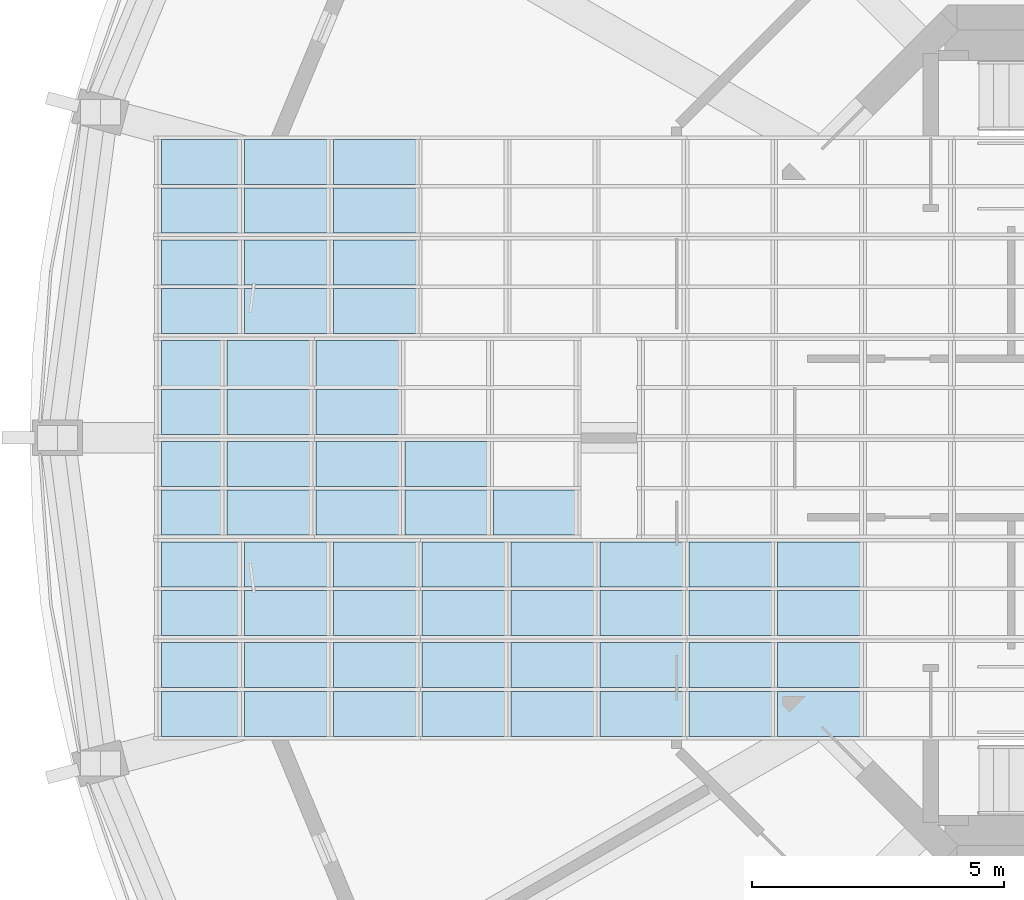
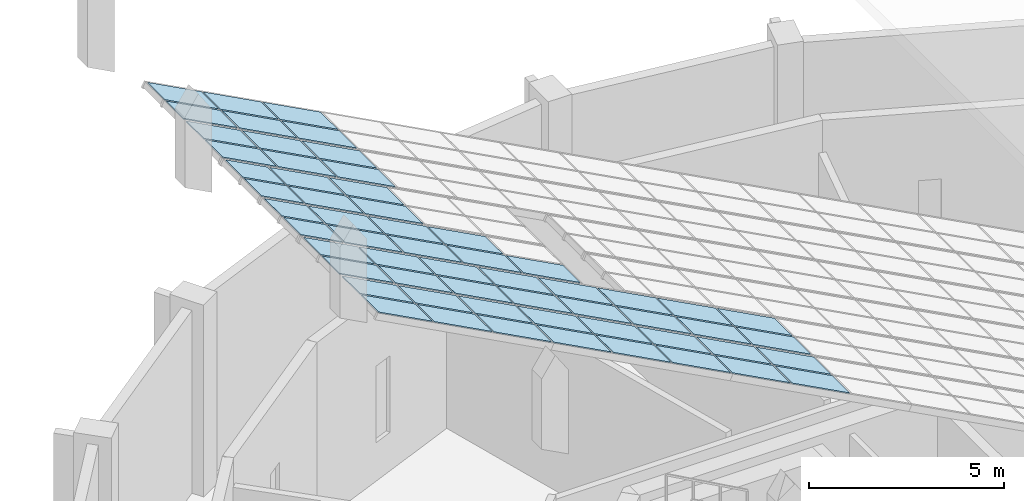
# One storey, part 8 of 19: 59 plates, 6 elements without a shape of their own.
"""IFC4 building model written with IfcOpenShell, lengths in metres."""

from ifc_helpers import new_model, si_unit, direction, frame, origin, place, context, subcontext, project, spatial, polyline, outline, extrude, material, layer, layer_set, type_object, element, aggregate, save


model = new_model("IFC4")

# Units and contexts
model_context = context("Model", 3, precision=1e-05, world=origin(), true_north=direction((0.0, 1.0)))
body_context = subcontext(model_context, "Body", "Model", "MODEL_VIEW")
ifc_project = project(units=[si_unit("LENGTHUNIT", "METRE"), si_unit("AREAUNIT", "SQUARE_METRE"), si_unit("VOLUMEUNIT", "CUBIC_METRE"), si_unit("PLANEANGLEUNIT", "RADIAN"), si_unit("MASSUNIT", "GRAM", prefix="KILO")], contexts=[model_context])

# Site, building, storey
site_placement = place(None, origin())
site = spatial("IfcSite", under=ifc_project, at=site_placement, CompositionType="ELEMENT")
building_placement = place(site_placement, origin())
building = spatial("IfcBuilding", under=site, at=building_placement, Name="Torre Triforio", CompositionType="ELEMENT")
storey_placement = place(building_placement, frame((0.0, 0.0, 290.800048828125)))
storey = spatial("IfcBuildingStorey", under=building, at=storey_placement, Name="RF-1", CompositionType="ELEMENT", Elevation=290.800048828125)

# Curtain wall, plates
ifc_material_1 = material(Name="Aluminium glazing bars with clear laminated glass", Category="aluminium")
curtain_wall_type = type_object("IfcCurtainWallType", Name="Crown lantern glazing CW4", PredefinedType="NOTDEFINED", material=ifc_material_1)
curtain_wall_1_placement = place(storey_placement, origin())
curtain_wall_1 = element("IfcCurtainWall", 1, at=curtain_wall_1_placement, inside=storey, type_object=curtain_wall_type, Name="Crown lantern run 1", PredefinedType="NOTDEFINED")
ifc_material_2 = material(Name="Clear laminated glass", Category="glass")
ifc_layer = layer(ifc_material_2, 0.030029296875)
ifc_layer_set = layer_set([ifc_layer], Name="Clear laminated glass")
plate_type = type_object("IfcPlateType", Name="CW4 glass panel 30", PredefinedType="CURTAIN_PANEL", material=ifc_layer_set)
plate_1_placement = place(storey_placement, frame((-8.987548828125, -5.929931640625, 18.36376953125), z_axis=(0.469537451121, 0.0, 0.882912556256), x_axis=(0.0, 1.0, 0.0)))
plate_1 = element("IfcPlate", 2, at=plate_1_placement, type_object=plate_type, Name="CW4 panel 1.14.1", PredefinedType="CURTAIN_PANEL", context=body_context, shape_type="SweptSolid", body=[
    extrude(outline(polyline([(0.0, 0.0), (0.89501953125, 0.0), (0.89501953125, 1.9300909817454048), (0.0, 1.9300909817454048), (0.0, 0.0)])), origin(), (0.0, 0.0, -1.0), 0.030029296875),
])
plate_2_placement = place(storey_placement, frame((-8.987548828125, -4.965087890625, 18.36376953125), z_axis=(0.469537451121, 0.0, 0.882912556256), x_axis=(0.0, 1.0, 0.0)))
plate_2 = element("IfcPlate", 3, at=plate_2_placement, type_object=plate_type, Name="CW4 panel 1.14.2", PredefinedType="CURTAIN_PANEL", context=body_context, shape_type="SweptSolid", body=[
    extrude(outline(polyline([(0.0, 0.0), (0.89501953125, 0.0), (0.89501953125, 1.9300909817454048), (0.0, 1.9300909817454048), (0.0, 0.0)])), origin(), (0.0, 0.0, -1.0), 0.030029296875),
])
plate_3_placement = place(storey_placement, frame((-10.75341796875, -5.929931640625, 19.302734375), z_axis=(0.469537451121, 0.0, 0.882912556256), x_axis=(0.0, 1.0, 0.0)))
plate_3 = element("IfcPlate", 4, at=plate_3_placement, type_object=plate_type, Name="CW4 panel 1.15.1", PredefinedType="CURTAIN_PANEL", context=body_context, shape_type="SweptSolid", body=[
    extrude(outline(polyline([(0.0, 0.0), (0.89501953125, 0.0), (0.89501953125, 1.9300909817454048), (0.0, 1.9300909817454048), (0.0, 0.0)])), origin(), (0.0, 0.0, -1.0), 0.030029296875),
])
plate_4_placement = place(storey_placement, frame((-10.75341796875, -4.965087890625, 19.302734375), z_axis=(0.469537451121, 0.0, 0.882912556256), x_axis=(0.0, 1.0, 0.0)))
plate_4 = element("IfcPlate", 5, at=plate_4_placement, type_object=plate_type, Name="CW4 panel 1.15.2", PredefinedType="CURTAIN_PANEL", context=body_context, shape_type="SweptSolid", body=[
    extrude(outline(polyline([(0.0, 0.0), (0.89501953125, 0.0), (0.89501953125, 1.9300909817454048), (0.0, 1.9300909817454048), (0.0, 0.0)])), origin(), (0.0, 0.0, -1.0), 0.030029296875),
])
plate_5_placement = place(storey_placement, frame((-12.519287109375, -5.929931640625, 20.24169921875), z_axis=(0.469537451121, 0.0, 0.882912556256), x_axis=(0.0, 1.0, 0.0)))
plate_5 = element("IfcPlate", 6, at=plate_5_placement, type_object=plate_type, Name="CW4 panel 1.16.1", PredefinedType="CURTAIN_PANEL", context=body_context, shape_type="SweptSolid", body=[
    extrude(outline(polyline([(0.0, 0.0), (0.89501953125, 0.0), (0.89501953125, 1.9300909817454048), (0.0, 1.9300909817454048), (0.0, 0.0)])), origin(), (0.0, 0.0, -1.0), 0.030029296875),
])
plate_6_placement = place(storey_placement, frame((-12.519287109375, -4.965087890625, 20.24169921875), z_axis=(0.469537451121, 0.0, 0.882912556256), x_axis=(0.0, 1.0, 0.0)))
plate_6 = element("IfcPlate", 7, at=plate_6_placement, type_object=plate_type, Name="CW4 panel 1.16.2", PredefinedType="CURTAIN_PANEL", context=body_context, shape_type="SweptSolid", body=[
    extrude(outline(polyline([(0.0, 0.0), (0.89501953125, 0.0), (0.89501953125, 1.9300909817454048), (0.0, 1.9300909817454048), (0.0, 0.0)])), origin(), (0.0, 0.0, -1.0), 0.030029296875),
])
plate_7_placement = place(storey_placement, frame((-14.28515625, -5.929931640625, 21.1806640625), z_axis=(0.469438837627, 0.0, 0.882964992357), x_axis=(0.0, 1.0, 0.0)))
plate_7 = element("IfcPlate", 8, at=plate_7_placement, type_object=plate_type, Name="CW4 panel 1.17.1", PredefinedType="CURTAIN_PANEL", context=body_context, shape_type="SweptSolid", body=[
    extrude(outline(polyline([(0.0, 0.0), (0.89501953125, 0.0), (0.89501953125, 1.9299763606160503), (0.0, 1.9299763606160503), (0.0, 0.0)])), origin(), (0.0, 0.0, -1.0), 0.030029296875),
])
plate_8_placement = place(storey_placement, frame((-14.28515625, -4.965087890625, 21.1806640625), z_axis=(0.469438837627, 0.0, 0.882964992357), x_axis=(0.0, 1.0, 0.0)))
plate_8 = element("IfcPlate", 9, at=plate_8_placement, type_object=plate_type, Name="CW4 panel 1.17.2", PredefinedType="CURTAIN_PANEL", context=body_context, shape_type="SweptSolid", body=[
    extrude(outline(polyline([(0.0, 0.0), (0.89501953125, 0.0), (0.89501953125, 1.9299763606160503), (0.0, 1.9299763606160503), (0.0, 0.0)])), origin(), (0.0, 0.0, -1.0), 0.030029296875),
])
plate_9_placement = place(storey_placement, frame((-16.051025390625, -5.929931640625, 22.11962890625), z_axis=(0.469438837627, 0.0, 0.882964992357), x_axis=(0.0, 1.0, 0.0)))
plate_9 = element("IfcPlate", 10, at=plate_9_placement, type_object=plate_type, Name="CW4 panel 1.18.1", PredefinedType="CURTAIN_PANEL", context=body_context, shape_type="SweptSolid", body=[
    extrude(outline(polyline([(0.0, 0.0), (0.89501953125, 0.0), (0.89501953125, 1.9299763606160503), (0.0, 1.9299763606160503), (0.0, 0.0)])), origin(), (0.0, 0.0, -1.0), 0.030029296875),
])
plate_10_placement = place(storey_placement, frame((-16.051025390625, -4.965087890625, 22.11962890625), z_axis=(0.469438837627, 0.0, 0.882964992357), x_axis=(0.0, 1.0, 0.0)))
plate_10 = element("IfcPlate", 11, at=plate_10_placement, type_object=plate_type, Name="CW4 panel 1.18.2", PredefinedType="CURTAIN_PANEL", context=body_context, shape_type="SweptSolid", body=[
    extrude(outline(polyline([(0.0, 0.0), (0.89501953125, 0.0), (0.89501953125, 1.9299763606160503), (0.0, 1.9299763606160503), (0.0, 0.0)])), origin(), (0.0, 0.0, -1.0), 0.030029296875),
])
plate_11_placement = place(storey_placement, frame((-17.81689453125, -5.929931640625, 23.05859375), z_axis=(0.469438837627, 0.0, 0.882964992357), x_axis=(0.0, 1.0, 0.0)))
plate_11 = element("IfcPlate", 12, at=plate_11_placement, type_object=plate_type, Name="CW4 panel 1.19.1", PredefinedType="CURTAIN_PANEL", context=body_context, shape_type="SweptSolid", body=[
    extrude(outline(polyline([(0.0, 0.0), (0.89501953125, 0.0), (0.89501953125, 1.9299763606160503), (0.0, 1.9299763606160503), (0.0, 0.0)])), origin(), (0.0, 0.0, -1.0), 0.030029296875),
])
plate_12_placement = place(storey_placement, frame((-17.81689453125, -4.965087890625, 23.05859375), z_axis=(0.469438837627, 0.0, 0.882964992357), x_axis=(0.0, 1.0, 0.0)))
plate_12 = element("IfcPlate", 13, at=plate_12_placement, type_object=plate_type, Name="CW4 panel 1.19.2", PredefinedType="CURTAIN_PANEL", context=body_context, shape_type="SweptSolid", body=[
    extrude(outline(polyline([(0.0, 0.0), (0.89501953125, 0.0), (0.89501953125, 1.9299763606160503), (0.0, 1.9299763606160503), (0.0, 0.0)])), origin(), (0.0, 0.0, -1.0), 0.030029296875),
])
plate_13_placement = place(storey_placement, frame((-19.5830078125, -5.929931640625, 23.99755859375), z_axis=(0.469438837627, 0.0, 0.882964992357), x_axis=(0.0, 1.0, 0.0)))
plate_13 = element("IfcPlate", 14, at=plate_13_placement, type_object=plate_type, Name="CW4 panel 1.20.1", PredefinedType="CURTAIN_PANEL", context=body_context, shape_type="SweptSolid", body=[
    extrude(outline(polyline([(0.0, 0.0), (0.89501953125, 0.0), (0.89501953125, 1.9299763606160503), (0.0, 1.9299763606160503), (0.0, 0.0)])), origin(), (0.0, 0.0, -1.0), 0.030029296875),
])
plate_14_placement = place(storey_placement, frame((-19.5830078125, -4.965087890625, 23.99755859375), z_axis=(0.469438837627, 0.0, 0.882964992357), x_axis=(0.0, 1.0, 0.0)))
plate_14 = element("IfcPlate", 15, at=plate_14_placement, type_object=plate_type, Name="CW4 panel 1.20.2", PredefinedType="CURTAIN_PANEL", context=body_context, shape_type="SweptSolid", body=[
    extrude(outline(polyline([(0.0, 0.0), (0.89501953125, 0.0), (0.89501953125, 1.9299763606160503), (0.0, 1.9299763606160503), (0.0, 0.0)])), origin(), (0.0, 0.0, -1.0), 0.030029296875),
])
plate_15_placement = place(storey_placement, frame((-21.348876953125, -5.929931640625, 24.9365234375), z_axis=(0.469426263522, 0.0, 0.882971677414), x_axis=(0.0, 1.0, 0.0)))
plate_15 = element("IfcPlate", 16, at=plate_15_placement, type_object=plate_type, Name="CW4 panel 1.21.1", PredefinedType="CURTAIN_PANEL", context=body_context, shape_type="SweptSolid", body=[
    extrude(outline(polyline([(0.0, 0.0), (0.89501953125, 0.0), (0.89501953125, 1.8000073042032605), (0.0, 1.8000073042032605), (0.0, 0.0)])), origin(), (0.0, 0.0, -1.0), 0.030029296875),
])
plate_16_placement = place(storey_placement, frame((-21.348876953125, -4.965087890625, 24.9365234375), z_axis=(0.469426263522, 0.0, 0.882971677414), x_axis=(0.0, 1.0, 0.0)))
plate_16 = element("IfcPlate", 17, at=plate_16_placement, type_object=plate_type, Name="CW4 panel 1.21.2", PredefinedType="CURTAIN_PANEL", context=body_context, shape_type="SweptSolid", body=[
    extrude(outline(polyline([(0.0, 0.0), (0.89501953125, 0.0), (0.89501953125, 1.8000073042032605), (0.0, 1.8000073042032605), (0.0, 0.0)])), origin(), (0.0, 0.0, -1.0), 0.030029296875),
])
aggregate(curtain_wall_1, [plate_1, plate_2, plate_3, plate_4, plate_5, plate_6, plate_7, plate_8, plate_9, plate_10, plate_11, plate_12, plate_13, plate_14, plate_15, plate_16])

curtain_wall_2_placement = place(storey_placement, origin())
curtain_wall_2 = element("IfcCurtainWall", 18, at=curtain_wall_2_placement, inside=storey, type_object=curtain_wall_type, Name="Crown lantern run 2", PredefinedType="NOTDEFINED")
plate_17_placement = place(storey_placement, frame((-8.987548828125, -3.929931640625, 18.36376953125), z_axis=(0.469537451121, 0.0, 0.882912556256), x_axis=(0.0, 1.0, 0.0)))
plate_17 = element("IfcPlate", 19, at=plate_17_placement, type_object=plate_type, Name="CW4 panel 2.14.1", PredefinedType="CURTAIN_PANEL", context=body_context, shape_type="SweptSolid", body=[
    extrude(outline(polyline([(0.0, 0.0), (0.89501953125, 0.0), (0.89501953125, 1.9300909817454048), (0.0, 1.9300909817454048), (0.0, 0.0)])), origin(), (0.0, 0.0, -1.0), 0.030029296875),
])
plate_18_placement = place(storey_placement, frame((-8.987548828125, -2.965087890625, 18.36376953125), z_axis=(0.469537451121, 0.0, 0.882912556256), x_axis=(0.0, 1.0, 0.0)))
plate_18 = element("IfcPlate", 20, at=plate_18_placement, type_object=plate_type, Name="CW4 panel 2.14.2", PredefinedType="CURTAIN_PANEL", context=body_context, shape_type="SweptSolid", body=[
    extrude(outline(polyline([(0.0, 0.0), (0.89501953125, 0.0), (0.89501953125, 1.9300909817454048), (0.0, 1.9300909817454048), (0.0, 0.0)])), origin(), (0.0, 0.0, -1.0), 0.030029296875),
])
plate_19_placement = place(storey_placement, frame((-10.75341796875, -3.929931640625, 19.302734375), z_axis=(0.469537451121, 0.0, 0.882912556256), x_axis=(0.0, 1.0, 0.0)))
plate_19 = element("IfcPlate", 21, at=plate_19_placement, type_object=plate_type, Name="CW4 panel 2.15.1", PredefinedType="CURTAIN_PANEL", context=body_context, shape_type="SweptSolid", body=[
    extrude(outline(polyline([(0.0, 0.0), (0.89501953125, 0.0), (0.89501953125, 1.9300909817454048), (0.0, 1.9300909817454048), (0.0, 0.0)])), origin(), (0.0, 0.0, -1.0), 0.030029296875),
])
plate_20_placement = place(storey_placement, frame((-10.75341796875, -2.965087890625, 19.302734375), z_axis=(0.469537451121, 0.0, 0.882912556256), x_axis=(0.0, 1.0, 0.0)))
plate_20 = element("IfcPlate", 22, at=plate_20_placement, type_object=plate_type, Name="CW4 panel 2.15.2", PredefinedType="CURTAIN_PANEL", context=body_context, shape_type="SweptSolid", body=[
    extrude(outline(polyline([(0.0, 0.0), (0.89501953125, 0.0), (0.89501953125, 1.9300909817454048), (0.0, 1.9300909817454048), (0.0, 0.0)])), origin(), (0.0, 0.0, -1.0), 0.030029296875),
])
plate_21_placement = place(storey_placement, frame((-12.519287109375, -3.929931640625, 20.24169921875), z_axis=(0.469537451121, 0.0, 0.882912556256), x_axis=(0.0, 1.0, 0.0)))
plate_21 = element("IfcPlate", 23, at=plate_21_placement, type_object=plate_type, Name="CW4 panel 2.16.1", PredefinedType="CURTAIN_PANEL", context=body_context, shape_type="SweptSolid", body=[
    extrude(outline(polyline([(0.0, 0.0), (0.89501953125, 0.0), (0.89501953125, 1.9300909817454048), (0.0, 1.9300909817454048), (0.0, 0.0)])), origin(), (0.0, 0.0, -1.0), 0.030029296875),
])
plate_22_placement = place(storey_placement, frame((-12.519287109375, -2.965087890625, 20.24169921875), z_axis=(0.469537451121, 0.0, 0.882912556256), x_axis=(0.0, 1.0, 0.0)))
plate_22 = element("IfcPlate", 24, at=plate_22_placement, type_object=plate_type, Name="CW4 panel 2.16.2", PredefinedType="CURTAIN_PANEL", context=body_context, shape_type="SweptSolid", body=[
    extrude(outline(polyline([(0.0, 0.0), (0.89501953125, 0.0), (0.89501953125, 1.9300909817454048), (0.0, 1.9300909817454048), (0.0, 0.0)])), origin(), (0.0, 0.0, -1.0), 0.030029296875),
])
plate_23_placement = place(storey_placement, frame((-14.28515625, -3.929931640625, 21.1806640625), z_axis=(0.469438837627, 0.0, 0.882964992357), x_axis=(0.0, 1.0, 0.0)))
plate_23 = element("IfcPlate", 25, at=plate_23_placement, type_object=plate_type, Name="CW4 panel 2.17.1", PredefinedType="CURTAIN_PANEL", context=body_context, shape_type="SweptSolid", body=[
    extrude(outline(polyline([(0.0, 0.0), (0.89501953125, 0.0), (0.89501953125, 1.9299763606160503), (0.0, 1.9299763606160503), (0.0, 0.0)])), origin(), (0.0, 0.0, -1.0), 0.030029296875),
])
plate_24_placement = place(storey_placement, frame((-14.28515625, -2.965087890625, 21.1806640625), z_axis=(0.469438837627, 0.0, 0.882964992357), x_axis=(0.0, 1.0, 0.0)))
plate_24 = element("IfcPlate", 26, at=plate_24_placement, type_object=plate_type, Name="CW4 panel 2.17.2", PredefinedType="CURTAIN_PANEL", context=body_context, shape_type="SweptSolid", body=[
    extrude(outline(polyline([(0.0, 0.0), (0.89501953125, 0.0), (0.89501953125, 1.9299763606160503), (0.0, 1.9299763606160503), (0.0, 0.0)])), origin(), (0.0, 0.0, -1.0), 0.030029296875),
])
plate_25_placement = place(storey_placement, frame((-16.051025390625, -3.929931640625, 22.11962890625), z_axis=(0.469438837627, 0.0, 0.882964992357), x_axis=(0.0, 1.0, 0.0)))
plate_25 = element("IfcPlate", 27, at=plate_25_placement, type_object=plate_type, Name="CW4 panel 2.18.1", PredefinedType="CURTAIN_PANEL", context=body_context, shape_type="SweptSolid", body=[
    extrude(outline(polyline([(0.0, 0.0), (0.89501953125, 0.0), (0.89501953125, 1.9299763606160503), (0.0, 1.9299763606160503), (0.0, 0.0)])), origin(), (0.0, 0.0, -1.0), 0.030029296875),
])
plate_26_placement = place(storey_placement, frame((-16.051025390625, -2.965087890625, 22.11962890625), z_axis=(0.469438837627, 0.0, 0.882964992357), x_axis=(0.0, 1.0, 0.0)))
plate_26 = element("IfcPlate", 28, at=plate_26_placement, type_object=plate_type, Name="CW4 panel 2.18.2", PredefinedType="CURTAIN_PANEL", context=body_context, shape_type="SweptSolid", body=[
    extrude(outline(polyline([(0.0, 0.0), (0.89501953125, 0.0), (0.89501953125, 1.9299763606160503), (0.0, 1.9299763606160503), (0.0, 0.0)])), origin(), (0.0, 0.0, -1.0), 0.030029296875),
])
plate_27_placement = place(storey_placement, frame((-17.81689453125, -3.929931640625, 23.05859375), z_axis=(0.469438837627, 0.0, 0.882964992357), x_axis=(0.0, 1.0, 0.0)))
plate_27 = element("IfcPlate", 29, at=plate_27_placement, type_object=plate_type, Name="CW4 panel 2.19.1", PredefinedType="CURTAIN_PANEL", context=body_context, shape_type="SweptSolid", body=[
    extrude(outline(polyline([(0.0, 0.0), (0.89501953125, 0.0), (0.89501953125, 1.9299763606160503), (0.0, 1.9299763606160503), (0.0, 0.0)])), origin(), (0.0, 0.0, -1.0), 0.030029296875),
])
plate_28_placement = place(storey_placement, frame((-17.81689453125, -2.965087890625, 23.05859375), z_axis=(0.469438837627, 0.0, 0.882964992357), x_axis=(0.0, 1.0, 0.0)))
plate_28 = element("IfcPlate", 30, at=plate_28_placement, type_object=plate_type, Name="CW4 panel 2.19.2", PredefinedType="CURTAIN_PANEL", context=body_context, shape_type="SweptSolid", body=[
    extrude(outline(polyline([(0.0, 0.0), (0.89501953125, 0.0), (0.89501953125, 1.9299763606160503), (0.0, 1.9299763606160503), (0.0, 0.0)])), origin(), (0.0, 0.0, -1.0), 0.030029296875),
])
plate_29_placement = place(storey_placement, frame((-19.5830078125, -3.929931640625, 23.99755859375), z_axis=(0.469438837627, 0.0, 0.882964992357), x_axis=(0.0, 1.0, 0.0)))
plate_29 = element("IfcPlate", 31, at=plate_29_placement, type_object=plate_type, Name="CW4 panel 2.20.1", PredefinedType="CURTAIN_PANEL", context=body_context, shape_type="SweptSolid", body=[
    extrude(outline(polyline([(0.0, 0.0), (0.89501953125, 0.0), (0.89501953125, 1.9299763606160503), (0.0, 1.9299763606160503), (0.0, 0.0)])), origin(), (0.0, 0.0, -1.0), 0.030029296875),
])
plate_30_placement = place(storey_placement, frame((-19.5830078125, -2.965087890625, 23.99755859375), z_axis=(0.469438837627, 0.0, 0.882964992357), x_axis=(0.0, 1.0, 0.0)))
plate_30 = element("IfcPlate", 32, at=plate_30_placement, type_object=plate_type, Name="CW4 panel 2.20.2", PredefinedType="CURTAIN_PANEL", context=body_context, shape_type="SweptSolid", body=[
    extrude(outline(polyline([(0.0, 0.0), (0.89501953125, 0.0), (0.89501953125, 1.9299763606160503), (0.0, 1.9299763606160503), (0.0, 0.0)])), origin(), (0.0, 0.0, -1.0), 0.030029296875),
])
plate_31_placement = place(storey_placement, frame((-21.348876953125, -3.929931640625, 24.9365234375), z_axis=(0.469426263522, 0.0, 0.882971677414), x_axis=(0.0, 1.0, 0.0)))
plate_31 = element("IfcPlate", 33, at=plate_31_placement, type_object=plate_type, Name="CW4 panel 2.21.1", PredefinedType="CURTAIN_PANEL", context=body_context, shape_type="SweptSolid", body=[
    extrude(outline(polyline([(0.0, 0.0), (0.89501953125, 0.0), (0.89501953125, 1.8000073042032605), (0.0, 1.8000073042032605), (0.0, 0.0)])), origin(), (0.0, 0.0, -1.0), 0.030029296875),
])
plate_32_placement = place(storey_placement, frame((-21.348876953125, -2.965087890625, 24.9365234375), z_axis=(0.469426263522, 0.0, 0.882971677414), x_axis=(0.0, 1.0, 0.0)))
plate_32 = element("IfcPlate", 34, at=plate_32_placement, type_object=plate_type, Name="CW4 panel 2.21.2", PredefinedType="CURTAIN_PANEL", context=body_context, shape_type="SweptSolid", body=[
    extrude(outline(polyline([(0.0, 0.0), (0.89501953125, 0.0), (0.89501953125, 1.8000073042032605), (0.0, 1.8000073042032605), (0.0, 0.0)])), origin(), (0.0, 0.0, -1.0), 0.030029296875),
])
aggregate(curtain_wall_2, [plate_17, plate_18, plate_19, plate_20, plate_21, plate_22, plate_23, plate_24, plate_25, plate_26, plate_27, plate_28, plate_29, plate_30, plate_31, plate_32])

curtain_wall_3_placement = place(storey_placement, origin())
curtain_wall_3 = element("IfcCurtainWall", 35, at=curtain_wall_3_placement, inside=storey, type_object=curtain_wall_type, Name="Crown lantern run 4", PredefinedType="NOTDEFINED")
plate_33_placement = place(storey_placement, frame((-14.661865234375, -1.929931640625, 21.380859375), z_axis=(0.469491175621, 0.0, 0.88293716425), x_axis=(0.0, 1.0, 0.0)))
plate_33 = element("IfcPlate", 36, at=plate_33_placement, type_object=plate_type, Name="CW4 panel 4.1.1", PredefinedType="CURTAIN_PANEL", context=body_context, shape_type="SweptSolid", body=[
    extrude(outline(polyline([(0.0, 0.0), (0.89501953125, 0.0), (0.89501953125, 1.8949204664474784), (0.0, 1.8949204664474784), (0.0, 0.0)])), origin(), (0.0, 0.0, -1.0), 0.030029296875),
])
plate_34_placement = place(storey_placement, frame((-16.396728515625, -1.929931640625, 22.303466796875), z_axis=(0.469438837627, 0.0, 0.882964992357), x_axis=(0.0, 1.0, 0.0)))
plate_34 = element("IfcPlate", 37, at=plate_34_placement, type_object=plate_type, Name="CW4 panel 4.2.1", PredefinedType="CURTAIN_PANEL", context=body_context, shape_type="SweptSolid", body=[
    extrude(outline(polyline([(0.0, 0.0), (0.89501953125, 0.0), (0.89501953125, 1.9299763606160503), (0.0, 1.9299763606160503), (0.0, 0.0)])), origin(), (0.0, 0.0, -1.0), 0.030029296875),
])
plate_35_placement = place(storey_placement, frame((-16.396728515625, -0.965087890625, 22.303466796875), z_axis=(0.469438837627, 0.0, 0.882964992357), x_axis=(0.0, 1.0, 0.0)))
plate_35 = element("IfcPlate", 38, at=plate_35_placement, type_object=plate_type, Name="CW4 panel 4.2.2", PredefinedType="CURTAIN_PANEL", context=body_context, shape_type="SweptSolid", body=[
    extrude(outline(polyline([(0.0, 0.0), (0.89501953125, 0.0), (0.89501953125, 1.9299763606160503), (0.0, 1.9299763606160503), (0.0, 0.0)])), origin(), (0.0, 0.0, -1.0), 0.030029296875),
])
plate_36_placement = place(storey_placement, frame((-18.16259765625, -1.929931640625, 23.242431640625), z_axis=(0.469438837627, 0.0, 0.882964992357), x_axis=(0.0, 1.0, 0.0)))
plate_36 = element("IfcPlate", 39, at=plate_36_placement, type_object=plate_type, Name="CW4 panel 4.3.1", PredefinedType="CURTAIN_PANEL", context=body_context, shape_type="SweptSolid", body=[
    extrude(outline(polyline([(0.0, 0.0), (0.89501953125, 0.0), (0.89501953125, 1.9299763606160503), (0.0, 1.9299763606160503), (0.0, 0.0)])), origin(), (0.0, 0.0, -1.0), 0.030029296875),
])
plate_37_placement = place(storey_placement, frame((-18.16259765625, -0.965087890625, 23.242431640625), z_axis=(0.469438837627, 0.0, 0.882964992357), x_axis=(0.0, 1.0, 0.0)))
plate_37 = element("IfcPlate", 40, at=plate_37_placement, type_object=plate_type, Name="CW4 panel 4.3.2", PredefinedType="CURTAIN_PANEL", context=body_context, shape_type="SweptSolid", body=[
    extrude(outline(polyline([(0.0, 0.0), (0.89501953125, 0.0), (0.89501953125, 1.9299763606160503), (0.0, 1.9299763606160503), (0.0, 0.0)])), origin(), (0.0, 0.0, -1.0), 0.030029296875),
])
plate_38_placement = place(storey_placement, frame((-19.9287109375, -1.929931640625, 24.181396484375), z_axis=(0.469438837627, 0.0, 0.882964992357), x_axis=(0.0, 1.0, 0.0)))
plate_38 = element("IfcPlate", 41, at=plate_38_placement, type_object=plate_type, Name="CW4 panel 4.4.1", PredefinedType="CURTAIN_PANEL", context=body_context, shape_type="SweptSolid", body=[
    extrude(outline(polyline([(0.0, 0.0), (0.89501953125, 0.0), (0.89501953125, 1.9299763606160503), (0.0, 1.9299763606160503), (0.0, 0.0)])), origin(), (0.0, 0.0, -1.0), 0.030029296875),
])
plate_39_placement = place(storey_placement, frame((-19.9287109375, -0.965087890625, 24.181396484375), z_axis=(0.469438837627, 0.0, 0.882964992357), x_axis=(0.0, 1.0, 0.0)))
plate_39 = element("IfcPlate", 42, at=plate_39_placement, type_object=plate_type, Name="CW4 panel 4.4.2", PredefinedType="CURTAIN_PANEL", context=body_context, shape_type="SweptSolid", body=[
    extrude(outline(polyline([(0.0, 0.0), (0.89501953125, 0.0), (0.89501953125, 1.9299763606160503), (0.0, 1.9299763606160503), (0.0, 0.0)])), origin(), (0.0, 0.0, -1.0), 0.030029296875),
])
plate_40_placement = place(storey_placement, frame((-21.694580078125, -1.929931640625, 25.120361328125), z_axis=(0.469400231486, 0.0, 0.882985516688), x_axis=(0.0, 1.0, 0.0)))
plate_40 = element("IfcPlate", 43, at=plate_40_placement, type_object=plate_type, Name="CW4 panel 4.5.1", PredefinedType="CURTAIN_PANEL", context=body_context, shape_type="SweptSolid", body=[
    extrude(outline(polyline([(0.0, 0.0), (0.89501953125, 0.0), (0.89501953125, 1.4084629025569073), (0.0, 1.4084629025569073), (0.0, 0.0)])), origin(), (0.0, 0.0, -1.0), 0.030029296875),
])
plate_41_placement = place(storey_placement, frame((-21.694580078125, -0.965087890625, 25.120361328125), z_axis=(0.469400231486, 0.0, 0.882985516688), x_axis=(0.0, 1.0, 0.0)))
plate_41 = element("IfcPlate", 44, at=plate_41_placement, type_object=plate_type, Name="CW4 panel 4.5.2", PredefinedType="CURTAIN_PANEL", context=body_context, shape_type="SweptSolid", body=[
    extrude(outline(polyline([(0.0, 0.0), (0.89501953125, 0.0), (0.89501953125, 1.4084629025569073), (0.0, 1.4084629025569073), (0.0, 0.0)])), origin(), (0.0, 0.0, -1.0), 0.030029296875),
])
aggregate(curtain_wall_3, [plate_33, plate_34, plate_35, plate_36, plate_37, plate_38, plate_39, plate_40, plate_41])

curtain_wall_4_placement = place(storey_placement, origin())
curtain_wall_4 = element("IfcCurtainWall", 45, at=curtain_wall_4_placement, inside=storey, type_object=curtain_wall_type, Name="Crown lantern run 6", PredefinedType="NOTDEFINED")
plate_42_placement = place(storey_placement, frame((-18.16259765625, 0.070068359375, 23.242431640625), z_axis=(0.469438837627, 0.0, 0.882964992357), x_axis=(0.0, 1.0, 0.0)))
plate_42 = element("IfcPlate", 46, at=plate_42_placement, type_object=plate_type, Name="CW4 panel 6.3.1", PredefinedType="CURTAIN_PANEL", context=body_context, shape_type="SweptSolid", body=[
    extrude(outline(polyline([(0.0, 0.0), (0.89501953125, 0.0), (0.89501953125, 1.9299763606160503), (0.0, 1.9299763606160503), (0.0, 0.0)])), origin(), (0.0, 0.0, -1.0), 0.030029296875),
])
plate_43_placement = place(storey_placement, frame((-18.16259765625, 1.034912109375, 23.242431640625), z_axis=(0.469438837627, 0.0, 0.882964992357), x_axis=(0.0, 1.0, 0.0)))
plate_43 = element("IfcPlate", 47, at=plate_43_placement, type_object=plate_type, Name="CW4 panel 6.3.2", PredefinedType="CURTAIN_PANEL", context=body_context, shape_type="SweptSolid", body=[
    extrude(outline(polyline([(0.0, 0.0), (0.89501953125, 0.0), (0.89501953125, 1.9299763606160503), (0.0, 1.9299763606160503), (0.0, 0.0)])), origin(), (0.0, 0.0, -1.0), 0.030029296875),
])
plate_44_placement = place(storey_placement, frame((-19.9287109375, 0.070068359375, 24.181396484375), z_axis=(0.469438837627, 0.0, 0.882964992357), x_axis=(0.0, 1.0, 0.0)))
plate_44 = element("IfcPlate", 48, at=plate_44_placement, type_object=plate_type, Name="CW4 panel 6.4.1", PredefinedType="CURTAIN_PANEL", context=body_context, shape_type="SweptSolid", body=[
    extrude(outline(polyline([(0.0, 0.0), (0.89501953125, 0.0), (0.89501953125, 1.9299763606160503), (0.0, 1.9299763606160503), (0.0, 0.0)])), origin(), (0.0, 0.0, -1.0), 0.030029296875),
])
plate_45_placement = place(storey_placement, frame((-19.9287109375, 1.034912109375, 24.181396484375), z_axis=(0.469438837627, 0.0, 0.882964992357), x_axis=(0.0, 1.0, 0.0)))
plate_45 = element("IfcPlate", 49, at=plate_45_placement, type_object=plate_type, Name="CW4 panel 6.4.2", PredefinedType="CURTAIN_PANEL", context=body_context, shape_type="SweptSolid", body=[
    extrude(outline(polyline([(0.0, 0.0), (0.89501953125, 0.0), (0.89501953125, 1.9299763606160503), (0.0, 1.9299763606160503), (0.0, 0.0)])), origin(), (0.0, 0.0, -1.0), 0.030029296875),
])
plate_46_placement = place(storey_placement, frame((-21.694580078125, 0.070068359375, 25.120361328125), z_axis=(0.469400231486, 0.0, 0.882985516688), x_axis=(0.0, 1.0, 0.0)))
plate_46 = element("IfcPlate", 50, at=plate_46_placement, type_object=plate_type, Name="CW4 panel 6.5.1", PredefinedType="CURTAIN_PANEL", context=body_context, shape_type="SweptSolid", body=[
    extrude(outline(polyline([(0.0, 0.0), (0.89501953125, 0.0), (0.89501953125, 1.4084629025569073), (0.0, 1.4084629025569073), (0.0, 0.0)])), origin(), (0.0, 0.0, -1.0), 0.030029296875),
])
plate_47_placement = place(storey_placement, frame((-21.694580078125, 1.034912109375, 25.120361328125), z_axis=(0.469400231486, 0.0, 0.882985516688), x_axis=(0.0, 1.0, 0.0)))
plate_47 = element("IfcPlate", 51, at=plate_47_placement, type_object=plate_type, Name="CW4 panel 6.5.2", PredefinedType="CURTAIN_PANEL", context=body_context, shape_type="SweptSolid", body=[
    extrude(outline(polyline([(0.0, 0.0), (0.89501953125, 0.0), (0.89501953125, 1.4084629025569073), (0.0, 1.4084629025569073), (0.0, 0.0)])), origin(), (0.0, 0.0, -1.0), 0.030029296875),
])
aggregate(curtain_wall_4, [plate_42, plate_43, plate_44, plate_45, plate_46, plate_47])

curtain_wall_5_placement = place(storey_placement, origin())
curtain_wall_5 = element("IfcCurtainWall", 52, at=curtain_wall_5_placement, inside=storey, type_object=curtain_wall_type, Name="Crown lantern run 7", PredefinedType="NOTDEFINED")
plate_48_placement = place(storey_placement, frame((-17.81689453125, 2.070068359375, 23.05859375), z_axis=(0.469438837627, 0.0, 0.882964992357), x_axis=(0.0, 1.0, 0.0)))
plate_48 = element("IfcPlate", 53, at=plate_48_placement, type_object=plate_type, Name="CW4 panel 7.19.1", PredefinedType="CURTAIN_PANEL", context=body_context, shape_type="SweptSolid", body=[
    extrude(outline(polyline([(0.0, 0.0), (0.89501953125, 0.0), (0.89501953125, 1.9299763606160503), (0.0, 1.9299763606160503), (0.0, 0.0)])), origin(), (0.0, 0.0, -1.0), 0.030029296875),
])
plate_49_placement = place(storey_placement, frame((-17.81689453125, 3.034912109375, 23.05859375), z_axis=(0.469438837627, 0.0, 0.882964992357), x_axis=(0.0, 1.0, 0.0)))
plate_49 = element("IfcPlate", 54, at=plate_49_placement, type_object=plate_type, Name="CW4 panel 7.19.2", PredefinedType="CURTAIN_PANEL", context=body_context, shape_type="SweptSolid", body=[
    extrude(outline(polyline([(0.0, 0.0), (0.89501953125, 0.0), (0.89501953125, 1.9299763606160503), (0.0, 1.9299763606160503), (0.0, 0.0)])), origin(), (0.0, 0.0, -1.0), 0.030029296875),
])
plate_50_placement = place(storey_placement, frame((-19.5830078125, 2.070068359375, 23.99755859375), z_axis=(0.469438837627, 0.0, 0.882964992357), x_axis=(0.0, 1.0, 0.0)))
plate_50 = element("IfcPlate", 55, at=plate_50_placement, type_object=plate_type, Name="CW4 panel 7.20.1", PredefinedType="CURTAIN_PANEL", context=body_context, shape_type="SweptSolid", body=[
    extrude(outline(polyline([(0.0, 0.0), (0.89501953125, 0.0), (0.89501953125, 1.9299763606160503), (0.0, 1.9299763606160503), (0.0, 0.0)])), origin(), (0.0, 0.0, -1.0), 0.030029296875),
])
plate_51_placement = place(storey_placement, frame((-19.5830078125, 3.034912109375, 23.99755859375), z_axis=(0.469438837627, 0.0, 0.882964992357), x_axis=(0.0, 1.0, 0.0)))
plate_51 = element("IfcPlate", 56, at=plate_51_placement, type_object=plate_type, Name="CW4 panel 7.20.2", PredefinedType="CURTAIN_PANEL", context=body_context, shape_type="SweptSolid", body=[
    extrude(outline(polyline([(0.0, 0.0), (0.89501953125, 0.0), (0.89501953125, 1.9299763606160503), (0.0, 1.9299763606160503), (0.0, 0.0)])), origin(), (0.0, 0.0, -1.0), 0.030029296875),
])
plate_52_placement = place(storey_placement, frame((-21.348876953125, 2.070068359375, 24.9365234375), z_axis=(0.469426263522, 0.0, 0.882971677414), x_axis=(0.0, 1.0, 0.0)))
plate_52 = element("IfcPlate", 57, at=plate_52_placement, type_object=plate_type, Name="CW4 panel 7.21.1", PredefinedType="CURTAIN_PANEL", context=body_context, shape_type="SweptSolid", body=[
    extrude(outline(polyline([(0.0, 0.0), (0.89501953125, 0.0), (0.89501953125, 1.8000073042032605), (0.0, 1.8000073042032605), (0.0, 0.0)])), origin(), (0.0, 0.0, -1.0), 0.030029296875),
])
plate_53_placement = place(storey_placement, frame((-21.348876953125, 3.034912109375, 24.9365234375), z_axis=(0.469426263522, 0.0, 0.882971677414), x_axis=(0.0, 1.0, 0.0)))
plate_53 = element("IfcPlate", 58, at=plate_53_placement, type_object=plate_type, Name="CW4 panel 7.21.2", PredefinedType="CURTAIN_PANEL", context=body_context, shape_type="SweptSolid", body=[
    extrude(outline(polyline([(0.0, 0.0), (0.89501953125, 0.0), (0.89501953125, 1.8000073042032605), (0.0, 1.8000073042032605), (0.0, 0.0)])), origin(), (0.0, 0.0, -1.0), 0.030029296875),
])
aggregate(curtain_wall_5, [plate_48, plate_49, plate_50, plate_51, plate_52, plate_53])

curtain_wall_6_placement = place(storey_placement, origin())
curtain_wall_6 = element("IfcCurtainWall", 59, at=curtain_wall_6_placement, inside=storey, type_object=curtain_wall_type, Name="Crown lantern run 8", PredefinedType="NOTDEFINED")
plate_54_placement = place(storey_placement, frame((-17.81689453125, 4.070068359375, 23.05859375), z_axis=(0.469438837627, 0.0, 0.882964992357), x_axis=(0.0, 1.0, 0.0)))
plate_54 = element("IfcPlate", 60, at=plate_54_placement, type_object=plate_type, Name="CW4 panel 8.19.1", PredefinedType="CURTAIN_PANEL", context=body_context, shape_type="SweptSolid", body=[
    extrude(outline(polyline([(0.0, 0.0), (0.89501953125, 0.0), (0.89501953125, 1.9299763606160503), (0.0, 1.9299763606160503), (0.0, 0.0)])), origin(), (0.0, 0.0, -1.0), 0.030029296875),
])
plate_55_placement = place(storey_placement, frame((-17.81689453125, 5.034912109375, 23.05859375), z_axis=(0.469438837627, 0.0, 0.882964992357), x_axis=(0.0, 1.0, 0.0)))
plate_55 = element("IfcPlate", 61, at=plate_55_placement, type_object=plate_type, Name="CW4 panel 8.19.2", PredefinedType="CURTAIN_PANEL", context=body_context, shape_type="SweptSolid", body=[
    extrude(outline(polyline([(0.0, 0.0), (0.89501953125, 0.0), (0.89501953125, 1.9299763606160503), (0.0, 1.9299763606160503), (0.0, 0.0)])), origin(), (0.0, 0.0, -1.0), 0.030029296875),
])
plate_56_placement = place(storey_placement, frame((-19.5830078125, 4.070068359375, 23.99755859375), z_axis=(0.469438837627, 0.0, 0.882964992357), x_axis=(0.0, 1.0, 0.0)))
plate_56 = element("IfcPlate", 62, at=plate_56_placement, type_object=plate_type, Name="CW4 panel 8.20.1", PredefinedType="CURTAIN_PANEL", context=body_context, shape_type="SweptSolid", body=[
    extrude(outline(polyline([(0.0, 0.0), (0.89501953125, 0.0), (0.89501953125, 1.9299763606160503), (0.0, 1.9299763606160503), (0.0, 0.0)])), origin(), (0.0, 0.0, -1.0), 0.030029296875),
])
plate_57_placement = place(storey_placement, frame((-19.5830078125, 5.034912109375, 23.99755859375), z_axis=(0.469438837627, 0.0, 0.882964992357), x_axis=(0.0, 1.0, 0.0)))
plate_57 = element("IfcPlate", 63, at=plate_57_placement, type_object=plate_type, Name="CW4 panel 8.20.2", PredefinedType="CURTAIN_PANEL", context=body_context, shape_type="SweptSolid", body=[
    extrude(outline(polyline([(0.0, 0.0), (0.89501953125, 0.0), (0.89501953125, 1.9299763606160503), (0.0, 1.9299763606160503), (0.0, 0.0)])), origin(), (0.0, 0.0, -1.0), 0.030029296875),
])
plate_58_placement = place(storey_placement, frame((-21.348876953125, 4.070068359375, 24.9365234375), z_axis=(0.469426263522, 0.0, 0.882971677414), x_axis=(0.0, 1.0, 0.0)))
plate_58 = element("IfcPlate", 64, at=plate_58_placement, type_object=plate_type, Name="CW4 panel 8.21.1", PredefinedType="CURTAIN_PANEL", context=body_context, shape_type="SweptSolid", body=[
    extrude(outline(polyline([(0.0, 0.0), (0.89501953125, 0.0), (0.89501953125, 1.8000073042032605), (0.0, 1.8000073042032605), (0.0, 0.0)])), origin(), (0.0, 0.0, -1.0), 0.030029296875),
])
plate_59_placement = place(storey_placement, frame((-21.348876953125, 5.034912109375, 24.9365234375), z_axis=(0.469426263522, 0.0, 0.882971677414), x_axis=(0.0, 1.0, 0.0)))
plate_59 = element("IfcPlate", 65, at=plate_59_placement, type_object=plate_type, Name="CW4 panel 8.21.2", PredefinedType="CURTAIN_PANEL", context=body_context, shape_type="SweptSolid", body=[
    extrude(outline(polyline([(0.0, 0.0), (0.89501953125, 0.0), (0.89501953125, 1.8000073042032605), (0.0, 1.8000073042032605), (0.0, 0.0)])), origin(), (0.0, 0.0, -1.0), 0.030029296875),
])
aggregate(curtain_wall_6, [plate_54, plate_55, plate_56, plate_57, plate_58, plate_59])

save(model, "model.ifc")
